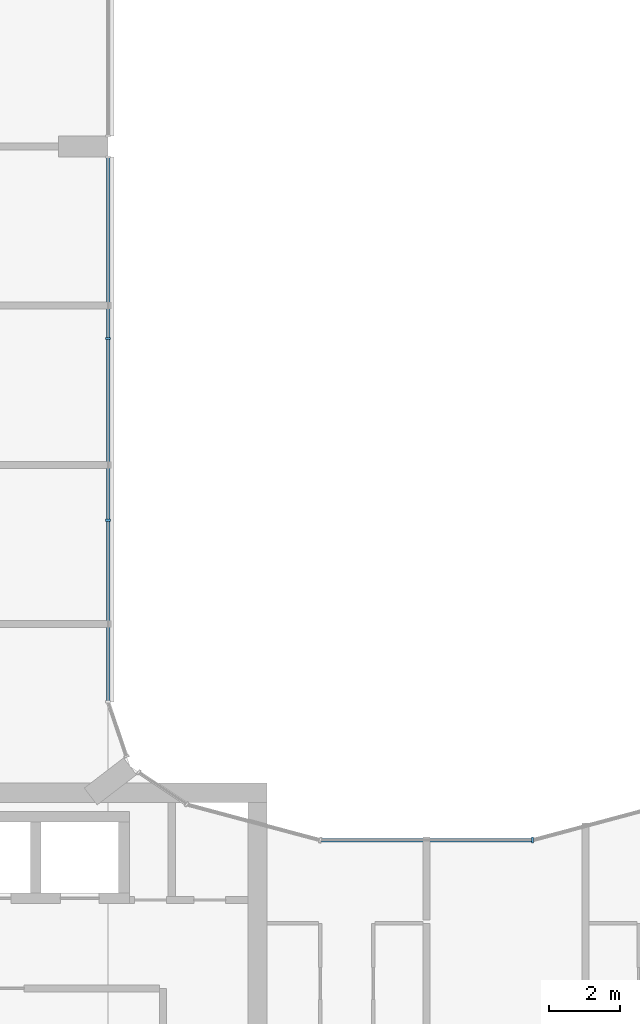
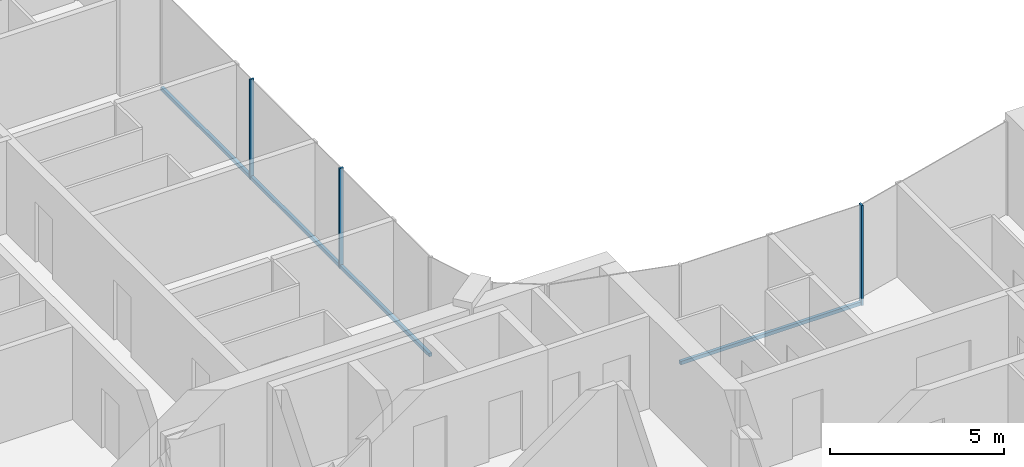
# One storey, part 5 of 16: 5 members, 2 elements without a shape of their own.
"""IFC4 building model written with IfcOpenShell, lengths in metres."""

from ifc_helpers import new_model, si_unit, direction, frame, origin, origin_2d, place, context, subcontext, project, spatial, rectangle, extrude, material, layer, layer_set, material_profile, profile_set, type_object, element, aggregate, save


model = new_model("IFC4")

# Units and contexts
model_context = context("Model", 3, precision=1e-05, world=origin(), true_north=direction((0.0, 1.0)))
body_context = subcontext(model_context, "Body", "Model", "MODEL_VIEW")
ifc_project = project(units=[si_unit("LENGTHUNIT", "METRE"), si_unit("AREAUNIT", "SQUARE_METRE"), si_unit("VOLUMEUNIT", "CUBIC_METRE"), si_unit("PLANEANGLEUNIT", "RADIAN"), si_unit("MASSUNIT", "GRAM", prefix="KILO")], contexts=[model_context])

# Site, building, storey
site_placement = place(None, origin())
site = spatial("IfcSite", under=ifc_project, at=site_placement, CompositionType="ELEMENT")
building_placement = place(site_placement, origin())
building = spatial("IfcBuilding", under=site, at=building_placement, Name="Plateau Cross Towers", CompositionType="ELEMENT")
storey_placement = place(building_placement, frame((0.0, 0.0, 211.89990234375)))
storey = spatial("IfcBuildingStorey", under=building, at=storey_placement, Name="L55", CompositionType="ELEMENT", Elevation=211.89990234375)

# Curtain wall, members
ifc_material_1 = material(Name="Dark low-iron glass", Category="glass")
ifc_layer_1 = layer(ifc_material_1, 0.239990234375)
ifc_layer_set_1 = layer_set([ifc_layer_1], Name="Dark low-iron glass")
curtain_wall_type_1 = type_object("IfcCurtainWallType", Name="Curtain wall flush unitised CW-B", PredefinedType="NOTDEFINED", material=ifc_layer_set_1)
curtain_wall_1_placement = place(storey_placement, origin())
curtain_wall_1 = element("IfcCurtainWall", 1, at=curtain_wall_1_placement, inside=storey, type_object=curtain_wall_type_1, Name="ENV/A/L55/A180_203", PredefinedType="NOTDEFINED")
ifc_material_2 = material(Name="Black anodised aluminium", Category="aluminium")
ifc_material_profile_1 = material_profile(ifc_material_2, rectangle(XDim=0.06005859375, YDim=0.139892578125, at=origin_2d()), Name="MULLION 60x140")
ifc_profile_set_1 = profile_set([ifc_material_profile_1], Name="Black anodised aluminium")
member_type_1 = type_object("IfcMemberType", Name="Mullion 60x140 flush unitised", PredefinedType="MULLION", material=ifc_profile_set_1)
member_1_placement = place(storey_placement, frame((18.0, 25.434814453125, -0.25), z_axis=(0.0, 0.0, 1.0), x_axis=(0.0, 1.0, 0.0)))
member_1 = element("IfcMember", 2, at=member_1_placement, type_object=member_type_1, Name="CW-B mullion 2", PredefinedType="MULLION", context=body_context, shape_type="SweptSolid", body=[
    extrude(rectangle(XDim=0.06005859375, YDim=0.139892578125, at=origin_2d()), origin(), (0.0, 0.0, 1.0), 3.5),
])
member_2_placement = place(storey_placement, frame((18.0, 30.5673828125, -0.25), z_axis=(0.0, 0.0, 1.0), x_axis=(0.0, 1.0, 0.0)))
member_2 = element("IfcMember", 3, at=member_2_placement, type_object=member_type_1, Name="CW-B mullion 3", PredefinedType="MULLION", context=body_context, shape_type="SweptSolid", body=[
    extrude(rectangle(XDim=0.06005859375, YDim=0.139892578125, at=origin_2d()), origin(), (0.0, 0.0, 1.0), 3.5),
])

# Curtain wall, member
ifc_layer_2 = layer(ifc_material_1, 0.260009765625)
ifc_layer_set_2 = layer_set([ifc_layer_2], Name="Dark low-iron glass")
curtain_wall_type_2 = type_object("IfcCurtainWallType", Name="Curtain wall fluted unitised CW-A", PredefinedType="NOTDEFINED", material=ifc_layer_set_2)
curtain_wall_2_placement = place(storey_placement, origin())
curtain_wall_2 = element("IfcCurtainWall", 4, at=curtain_wall_2_placement, inside=storey, type_object=curtain_wall_type_2, Name="ENV/A/L55/A300_164", PredefinedType="NOTDEFINED")
ifc_material_profile_2 = material_profile(ifc_material_2, rectangle(XDim=0.06005859375, YDim=0.159912109375, at=origin_2d()), Name="MULLION 60x160")
ifc_profile_set_2 = profile_set([ifc_material_profile_2], Name="Black anodised aluminium")
member_type_2 = type_object("IfcMemberType", Name="Mullion 60x160 fluted unitised", PredefinedType="MULLION", material=ifc_profile_set_2)
member_3_placement = place(storey_placement, frame((30.0, 16.39306640625, -0.25), z_axis=(0.0, 0.0, 1.0), x_axis=(-1.0, 0.0, 0.0)))
member_3 = element("IfcMember", 5, at=member_3_placement, type_object=member_type_2, Name="CW-A mullion 1", PredefinedType="MULLION", context=body_context, shape_type="SweptSolid", body=[
    extrude(rectangle(XDim=0.06005859375, YDim=0.159912109375, at=origin_2d()), origin(), (0.0, 0.0, 1.0), 3.5),
])

# Member
ifc_material_profile_3 = material_profile(ifc_material_2, rectangle(XDim=0.10009765625, YDim=0.1201171875, at=origin_2d()), Name="TRANSOM 100x120")
ifc_profile_set_3 = profile_set([ifc_material_profile_3], Name="Black anodised aluminium")
member_type_3 = type_object("IfcMemberType", Name="Transom 100x120 flush unitised", PredefinedType="USERDEFINED", material=ifc_profile_set_3)
member_4_placement = place(storey_placement, frame((18.0, 20.30224609375, -0.18994140625), z_axis=(0.0, 1.0, 0.0), x_axis=(-1.0, 0.0, 0.0)))
member_4 = element("IfcMember", 6, at=member_4_placement, type_object=member_type_3, Name="CW-B transom", ObjectType="TRANSOM", PredefinedType="USERDEFINED", context=body_context, shape_type="SweptSolid", body=[
    extrude(rectangle(XDim=0.10009765625, YDim=0.1201171875, at=origin_2d()), origin(), (0.0, 0.0, 1.0), 15.397705078125),
])

aggregate(curtain_wall_1, [member_1, member_2, member_4])

ifc_material_profile_4 = material_profile(ifc_material_2, rectangle(XDim=0.10009765625, YDim=0.1201171875, at=origin_2d()), Name="TRANSOM 100x120")
ifc_profile_set_4 = profile_set([ifc_material_profile_4], Name="Black anodised aluminium")
member_type_4 = type_object("IfcMemberType", Name="Transom 100x120 fluted unitised", PredefinedType="USERDEFINED", material=ifc_profile_set_4)
member_5_placement = place(storey_placement, frame((30.0, 16.39306640625, -0.18994140625), z_axis=(-1.0, 0.0, 0.0), x_axis=(0.0, -1.0, 0.0)))
member_5 = element("IfcMember", 7, at=member_5_placement, type_object=member_type_4, Name="CW-A transom", ObjectType="TRANSOM", PredefinedType="USERDEFINED", context=body_context, shape_type="SweptSolid", body=[
    extrude(rectangle(XDim=0.10009765625, YDim=0.1201171875, at=origin_2d()), origin(), (0.0, 0.0, 1.0), 6.0),
])

aggregate(curtain_wall_2, [member_3, member_5])

save(model, "model.ifc")
